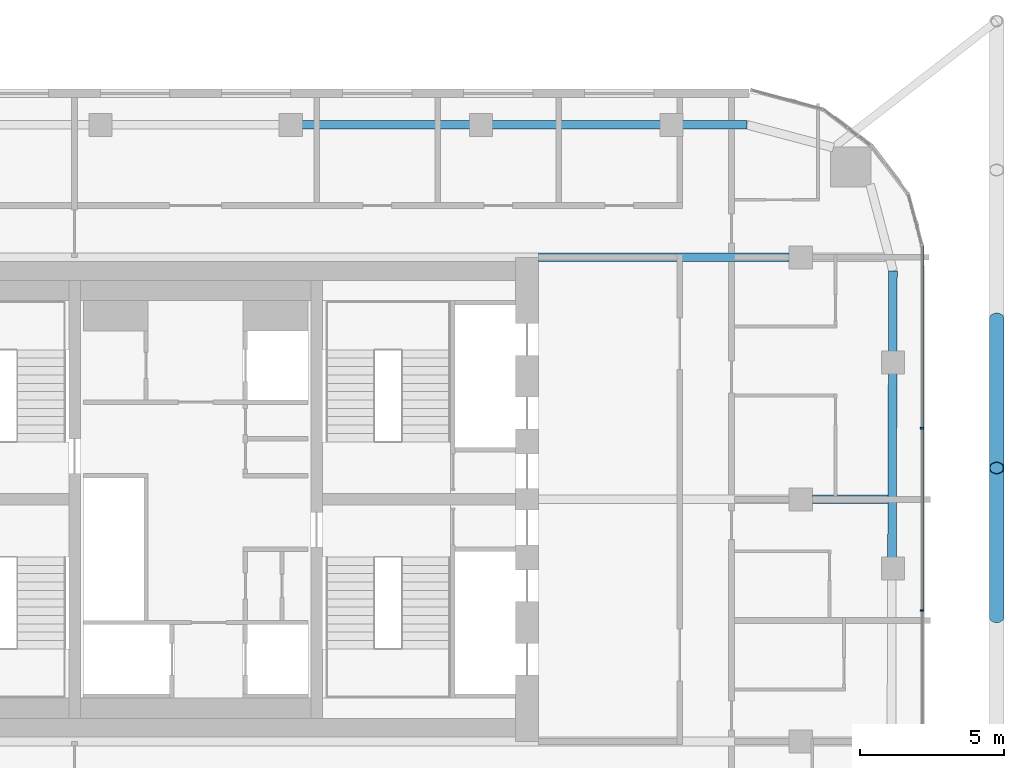
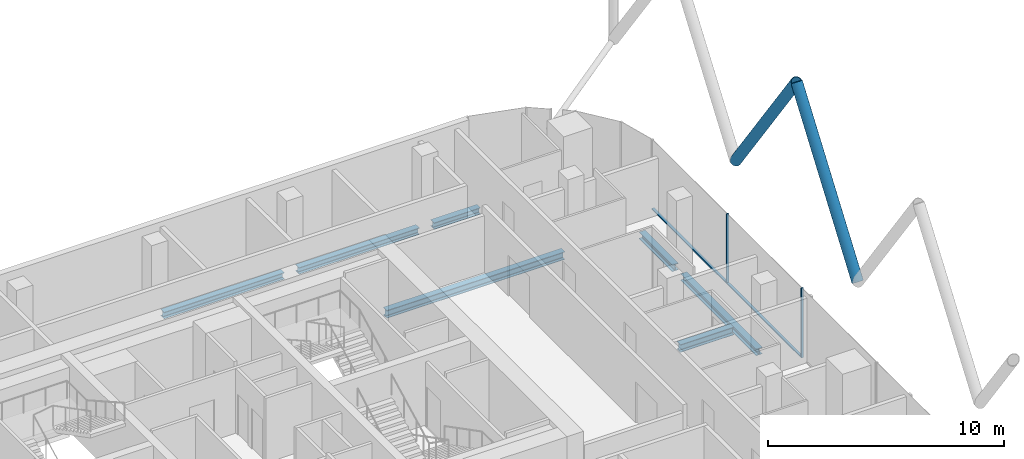
# One storey, part 10 of 28: 7 beams, 6 members, 1 element without a shape of its own.
"""IFC4 building model written with IfcOpenShell, lengths in metres."""

from ifc_helpers import new_model, si_unit, direction, frame, origin, origin_2d, place, context, subcontext, project, spatial, rectangle, hollow_circle, i_section, extrude, material, layer, layer_set, material_profile, profile_set, type_object, element, aggregate, save


model = new_model("IFC4")

# Units and contexts
model_context = context("Model", 3, precision=1e-05, world=origin(), true_north=direction((0.0, 1.0)))
body_context = subcontext(model_context, "Body", "Model", "MODEL_VIEW")
ifc_project = project(units=[si_unit("LENGTHUNIT", "METRE"), si_unit("AREAUNIT", "SQUARE_METRE"), si_unit("VOLUMEUNIT", "CUBIC_METRE"), si_unit("PLANEANGLEUNIT", "RADIAN"), si_unit("MASSUNIT", "GRAM", prefix="KILO")], contexts=[model_context])

# Site, building, storey
site_placement = place(None, origin())
site = spatial("IfcSite", under=ifc_project, at=site_placement, CompositionType="ELEMENT")
building_placement = place(site_placement, origin())
building = spatial("IfcBuilding", under=site, at=building_placement, Name="Marenta Gate Hotel Tower", CompositionType="ELEMENT")
storey_placement = place(building_placement, frame((0.0, 0.0, 241.699951171875)))
storey = spatial("IfcBuildingStorey", under=building, at=storey_placement, Name="L57", CompositionType="ELEMENT", Elevation=241.699951171875)

# Members
ifc_material_1 = material(Name="Steel S355J2W", Category="steel")
ifc_material_profile_1 = material_profile(ifc_material_1, hollow_circle(Radius=0.25390625, WallThickness=0.02490234375, at=origin_2d()), Name="CHS 508x25")
ifc_profile_set_1 = profile_set([ifc_material_profile_1], Name="Steel S355J2W")
member_type_1 = type_object("IfcMemberType", Name="Diagrid diagonal Z3 CHS 508x25", PredefinedType="BRACE", material=ifc_profile_set_1)
member_1_placement = place(storey_placement, frame((27.800048828125, 14.659912109375, 3.14013671875), z_axis=(0.0, -0.583260841117, 0.812284919975), x_axis=(1.0, 0.0, 0.0)))
element("IfcMember", 1, at=member_1_placement, inside=storey, type_object=member_type_1, Name="L57-DG-3", PredefinedType="BRACE", context=body_context, shape_type="SweptSolid", body=[
    extrude(hollow_circle(Radius=0.25390625, WallThickness=0.02490234375, at=origin_2d()), origin(), (0.0, 0.0, 1.0), 8.86376953125),
])
member_2_placement = place(storey_placement, frame((27.800048828125, 4.31982421875, 3.14013671875), z_axis=(0.0, 0.583279014058, 0.812271870595), x_axis=(-1.0, 0.0, 0.0)))
element("IfcMember", 2, at=member_2_placement, inside=storey, type_object=member_type_1, Name="L57-DG-4", PredefinedType="BRACE", context=body_context, shape_type="SweptSolid", body=[
    extrude(hollow_circle(Radius=0.25390625, WallThickness=0.02490234375, at=origin_2d()), origin(), (0.0, 0.0, 1.0), 8.864013671875),
])

# Beams
ifc_material_2 = material(Name="Steel S355", Category="steel")
ifc_material_profile_2 = material_profile(ifc_material_2, i_section(OverallWidth=0.300048828125, OverallDepth=0.340087890625, WebThickness=0.011962890625, FlangeThickness=0.021484375, FilletRadius=0.027099609375, at=origin_2d()), Name="HEB 340")
ifc_profile_set_2 = profile_set([ifc_material_profile_2], Name="Steel S355")
beam_type_1 = type_object("IfcBeamType", Name="Edge beam HEB 340", PredefinedType="SPANDREL", material=ifc_profile_set_2)
for number, where, z_axis, x_axis, name in (
    (3, (3.661376953125, 21.39990234375, -0.429931640625), (1.0, 0.0, 0.0), (0.0, 1.0, 0.0), "L57-EB-17"),
    (4, (10.26416015625, 21.39990234375, -0.429931640625), (1.0, 0.0, 0.0), (0.0, 1.0, 0.0), "L57-EB-18"),
):
    element("IfcBeam", number, at=place(storey_placement, frame(where, z_axis=z_axis, x_axis=x_axis)), inside=storey, type_object=beam_type_1, Name=name, PredefinedType="SPANDREL", context=body_context, shape_type="SweptSolid", body=[
        extrude(i_section(OverallWidth=0.300048828125, OverallDepth=0.340087890625, WebThickness=0.011962890625, FlangeThickness=0.021484375, FilletRadius=0.027099609375, at=origin_2d()), origin(), (0.0, 0.0, 1.0), 5.8828125),
    ])
beam_1_placement = place(storey_placement, frame((16.866943359375, 21.39990234375, -0.429931640625), z_axis=(1.0, 0.0, 0.0), x_axis=(0.0, 1.0, 0.0)))
element("IfcBeam", 5, at=beam_1_placement, inside=storey, type_object=beam_type_1, Name="L57-EB-19", PredefinedType="SPANDREL", context=body_context, shape_type="SweptSolid", body=[
    extrude(i_section(OverallWidth=0.300048828125, OverallDepth=0.340087890625, WebThickness=0.011962890625, FlangeThickness=0.021484375, FilletRadius=0.027099609375, at=origin_2d()), origin(), (0.0, 0.0, 1.0), 2.267578125),
])
beam_2_placement = place(storey_placement, frame((24.199951171875, 16.33447265625, -0.429931640625), z_axis=(-0.003292020626, -0.999994581285, 0.0), x_axis=(0.999994581285, -0.003292020626, 0.0)))
element("IfcBeam", 6, at=beam_2_placement, inside=storey, type_object=beam_type_1, Name="L57-EB-22", PredefinedType="SPANDREL", context=body_context, shape_type="SweptSolid", body=[
    extrude(i_section(OverallWidth=0.300048828125, OverallDepth=0.340087890625, WebThickness=0.011962890625, FlangeThickness=0.021484375, FilletRadius=0.027099609375, at=origin_2d()), origin(), (0.0, 0.0, 1.0), 2.818115234375),
])
beam_3_placement = place(storey_placement, frame((24.188232421875, 12.79638671875, -0.429931640625), z_axis=(-0.00333963982, -0.999994423387, 0.0), x_axis=(0.999994423387, -0.00333963982, 0.0)))
element("IfcBeam", 7, at=beam_3_placement, inside=storey, type_object=beam_type_1, Name="L57-EB-23", PredefinedType="SPANDREL", context=body_context, shape_type="SweptSolid", body=[
    extrude(i_section(OverallWidth=0.300048828125, OverallDepth=0.340087890625, WebThickness=0.011962890625, FlangeThickness=0.021484375, FilletRadius=0.027099609375, at=origin_2d()), origin(), (0.0, 0.0, 1.0), 6.43310546875),
])
ifc_material_3 = material(Name="Steel S355", Category="steel")
ifc_material_profile_3 = material_profile(ifc_material_3, i_section(OverallWidth=0.300048828125, OverallDepth=0.39990234375, WebThickness=0.013427734375, FlangeThickness=0.02392578125, FilletRadius=0.027099609375, at=origin_2d()), Name="HEB 400")
ifc_profile_set_3 = profile_set([ifc_material_profile_3], Name="Steel S355")
beam_type_2 = type_object("IfcBeamType", Name="Girder HEB 400", PredefinedType="BEAM", material=ifc_profile_set_3)
beam_4_placement = place(storey_placement, frame((21.39990234375, 8.39990234375, -0.4599609375), z_axis=(1.0, 0.0, 0.0), x_axis=(0.0, 1.0, 0.0)))
element("IfcBeam", 8, at=beam_4_placement, inside=storey, type_object=beam_type_2, Name="L57-GD-28", PredefinedType="BEAM", context=body_context, shape_type="SweptSolid", body=[
    extrude(i_section(OverallWidth=0.300048828125, OverallDepth=0.39990234375, WebThickness=0.013427734375, FlangeThickness=0.02392578125, FilletRadius=0.027099609375, at=origin_2d()), origin(), (0.0, 0.0, 1.0), 2.623779296875),
])
beam_5_placement = place(storey_placement, frame((11.89990234375, 16.800048828125, -0.4599609375), z_axis=(1.0, 0.0, 0.0), x_axis=(0.0, 1.0, 0.0)))
element("IfcBeam", 9, at=beam_5_placement, inside=storey, type_object=beam_type_2, Name="L57-GD-32", PredefinedType="BEAM", context=body_context, shape_type="SweptSolid", body=[
    extrude(i_section(OverallWidth=0.300048828125, OverallDepth=0.39990234375, WebThickness=0.013427734375, FlangeThickness=0.02392578125, FilletRadius=0.027099609375, at=origin_2d()), origin(), (0.0, 0.0, 1.0), 8.7001953125),
])

# Curtain wall, members
ifc_material_4 = material(Name="Tinted insulated glass in bronze anodised frame", Category="glass")
ifc_layer = layer(ifc_material_4, 0.1201171875)
ifc_layer_set = layer_set([ifc_layer], Name="Tinted insulated glass in bronze anodised frame")
curtain_wall_type = type_object("IfcCurtainWallType", Name="Tower unitised curtain wall CW1", PredefinedType="NOTDEFINED", material=ifc_layer_set)
curtain_wall_placement = place(storey_placement, origin())
curtain_wall = element("IfcCurtainWall", 10, at=curtain_wall_placement, inside=storey, type_object=curtain_wall_type, Name="CW1 run G19", PredefinedType="NOTDEFINED")
ifc_material_5 = material(Name="Bronze anodised aluminium", Category="aluminium")
ifc_material_profile_4 = material_profile(ifc_material_5, rectangle(XDim=0.1201171875, YDim=0.06005859375, at=origin_2d()), Name="Mullion CW1 60x120 bronze anodised aluminium")
ifc_profile_set_4 = profile_set([ifc_material_profile_4], Name="Bronze anodised aluminium")
member_type_2 = type_object("IfcMemberType", Name="Mullion CW1 60x120 bronze anodised aluminium", PredefinedType="MULLION", material=ifc_profile_set_4)
member_3_placement = place(storey_placement, frame((25.214111328125, 4.546630859375, 0.0), z_axis=(0.0, 0.0, 1.0), x_axis=(-1.0, 0.0, 0.0)))
member_3 = element("IfcMember", 11, at=member_3_placement, type_object=member_type_2, Name="CW1 mullion 5", PredefinedType="MULLION", context=body_context, shape_type="SweptSolid", body=[
    extrude(rectangle(XDim=0.1201171875, YDim=0.06005859375, at=origin_2d()), origin(), (0.0, 0.0, 1.0), 3.60009765625),
])
member_4_placement = place(storey_placement, frame((25.214111328125, 10.869384765625, 0.0), z_axis=(0.0, 0.0, 1.0), x_axis=(-1.0, 0.0, 0.0)))
member_4 = element("IfcMember", 12, at=member_4_placement, type_object=member_type_2, Name="CW1 mullion 6", PredefinedType="MULLION", context=body_context, shape_type="SweptSolid", body=[
    extrude(rectangle(XDim=0.1201171875, YDim=0.06005859375, at=origin_2d()), origin(), (0.0, 0.0, 1.0), 3.60009765625),
])
ifc_material_6 = material(Name="Bronze anodised aluminium", Category="aluminium")
ifc_material_profile_5 = material_profile(ifc_material_6, rectangle(XDim=0.1201171875, YDim=0.06005859375, at=origin_2d()), Name="Transom CW1 60x120 bronze anodised aluminium")
ifc_profile_set_5 = profile_set([ifc_material_profile_5], Name="Bronze anodised aluminium")
member_type_3 = type_object("IfcMemberType", Name="Transom CW1 60x120 bronze anodised aluminium", PredefinedType="USERDEFINED", material=ifc_profile_set_5)
member_5_placement = place(storey_placement, frame((25.214111328125, 4.57666015625, 0.030029296875), z_axis=(0.0, 1.0, 0.0), x_axis=(-1.0, 0.0, 0.0)))
member_5 = element("IfcMember", 13, at=member_5_placement, type_object=member_type_3, Name="CW1 transom 5.1", ObjectType="TRANSOM", PredefinedType="USERDEFINED", context=body_context, shape_type="SweptSolid", body=[
    extrude(rectangle(XDim=0.1201171875, YDim=0.06005859375, at=origin_2d()), origin(), (0.0, 0.0, 1.0), 6.2626953125),
])
member_6_placement = place(storey_placement, frame((25.214111328125, 10.899169921875, 0.030029296875), z_axis=(0.0, 1.0, 0.0), x_axis=(-1.0, 0.0, 0.0)))
member_6 = element("IfcMember", 14, at=member_6_placement, type_object=member_type_3, Name="CW1 transom 6.1", ObjectType="TRANSOM", PredefinedType="USERDEFINED", context=body_context, shape_type="SweptSolid", body=[
    extrude(rectangle(XDim=0.1201171875, YDim=0.06005859375, at=origin_2d()), origin(), (0.0, 0.0, 1.0), 6.292724609375),
])
aggregate(curtain_wall, [member_3, member_4, member_5, member_6])

save(model, "model.ifc")
